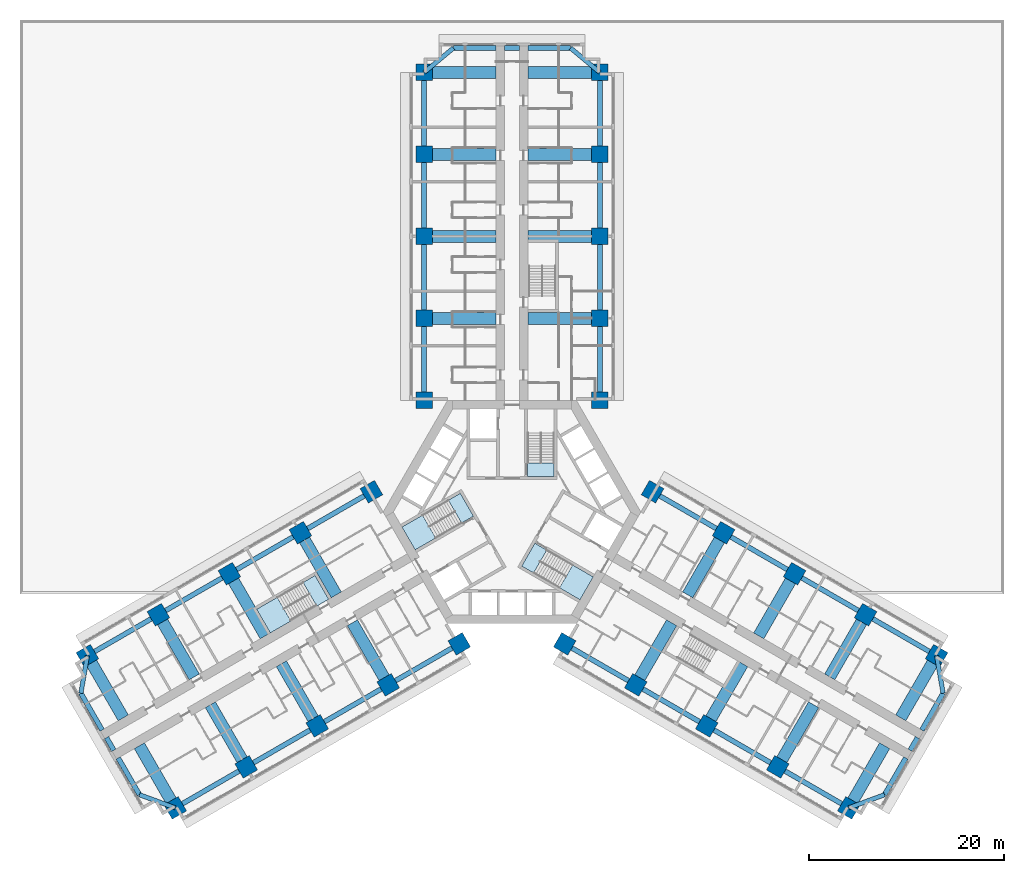
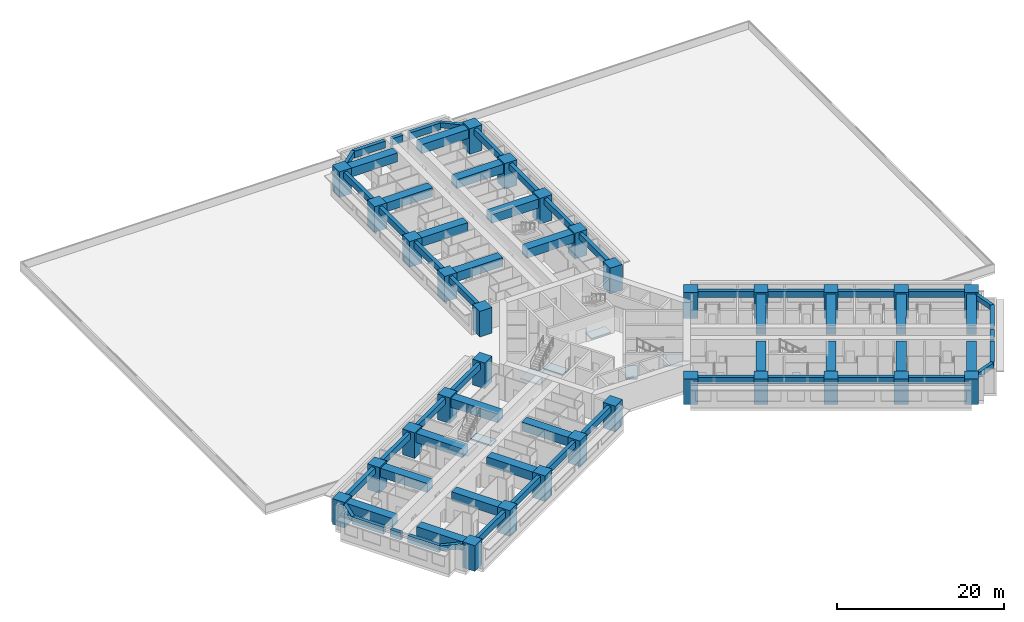
# One storey, part 1 of 18: 63 beams, 30 columns, 7 slabs, 4 elements without a shape of their own.
"""IFC4 building model written with IfcOpenShell, lengths in metres."""

from ifc_helpers import new_model, si_unit, direction, frame, origin, origin_2d, place, context, subcontext, project, spatial, polyline, rectangle, outline, extrude, material, layer, layer_set, material_profile, profile_set, type_object, element, aggregate, save


model = new_model("IFC4")

# Units and contexts
model_context = context("Model", 3, precision=1e-05, world=origin(), true_north=direction((0.0, 1.0)))
body_context = subcontext(model_context, "Body", "Model", "MODEL_VIEW")
ifc_project = project(units=[si_unit("LENGTHUNIT", "METRE"), si_unit("AREAUNIT", "SQUARE_METRE"), si_unit("VOLUMEUNIT", "CUBIC_METRE"), si_unit("PLANEANGLEUNIT", "RADIAN"), si_unit("MASSUNIT", "GRAM", prefix="KILO")], contexts=[model_context])

# Site, building, storey
site_placement = place(None, origin())
site = spatial("IfcSite", under=ifc_project, at=site_placement, CompositionType="ELEMENT")
building_placement = place(site_placement, origin())
building = spatial("IfcBuilding", under=site, at=building_placement, Name="Impinga Residences", CompositionType="ELEMENT")
storey_placement = place(building_placement, frame((0.0, 0.0, 26.0)))
storey = spatial("IfcBuildingStorey", under=building, at=storey_placement, Name="L05", CompositionType="ELEMENT", Elevation=26.0)

# Columns
ifc_material_1 = material(Name="Concrete C70/85", Category="concrete")
ifc_material_profile_1 = material_profile(ifc_material_1, rectangle(XDim=1.699951171875, YDim=1.699951171875, at=origin_2d()), Name="RC 1700x1700")
ifc_profile_set_1 = profile_set([ifc_material_profile_1], Name="Concrete C70/85")
column_type = type_object("IfcColumnType", Name="C10 1700x1700 column", PredefinedType="COLUMN", material=ifc_profile_set_1)
for number, where, z_axis, x_axis, name in (
    (1, (-9.0, 11.431640625, 0.0), (0.0, 0.0, 1.0), (1.0, 0.0, 0.0), "Column C10 N1/NA L05"),
    (2, (9.0, 11.431640625, 0.0), (0.0, 0.0, 1.0), (1.0, 0.0, 0.0), "Column C10 N1/NF L05"),
    (3, (-9.0, 19.83154296875, 0.0), (0.0, 0.0, 1.0), (1.0, 0.0, 0.0), "Column C10 N2/NA L05"),
    (4, (9.0, 19.83154296875, 0.0), (0.0, 0.0, 1.0), (1.0, 0.0, 0.0), "Column C10 N2/NF L05"),
    (5, (-9.0, 28.2314453125, 0.0), (0.0, 0.0, 1.0), (1.0, 0.0, 0.0), "Column C10 N3/NA L05"),
    (6, (9.0, 28.2314453125, 0.0), (0.0, 0.0, 1.0), (1.0, 0.0, 0.0), "Column C10 N3/NF L05"),
    (7, (-9.0, 36.631591796875, 0.0), (0.0, 0.0, 1.0), (1.0, 0.0, 0.0), "Column C10 N4/NA L05"),
    (8, (9.0, 36.631591796875, 0.0), (0.0, 0.0, 1.0), (1.0, 0.0, 0.0), "Column C10 N4/NF L05"),
    (9, (-9.0, 45.031494140625, 0.0), (0.0, 0.0, 1.0), (1.0, 0.0, 0.0), "Column C10 N5/NA L05"),
    (10, (9.0, 45.031494140625, 0.0), (0.0, 0.0, 1.0), (1.0, 0.0, 0.0), "Column C10 N5/NF L05"),
    (11, (-5.39990234375, -13.510009765625, 0.0), (0.0, 0.0, 1.0), (-0.5, 0.866025403784, 0.0), "Column C10 W1/WA L05"),
    (12, (-14.39990234375, 2.078369140625, 0.0), (0.0, 0.0, 1.0), (-0.5, 0.866025403784, 0.0), "Column C10 W1/WF L05"),
    (13, (-12.674560546875, -17.7099609375, 0.0), (0.0, 0.0, 1.0), (-0.5, 0.866025403784, 0.0), "Column C10 W2/WA L05"),
    (14, (-21.674560546875, -2.12158203125, 0.0), (0.0, 0.0, 1.0), (-0.5, 0.866025403784, 0.0), "Column C10 W2/WF L05"),
    (15, (-19.94921875, -21.909912109375, 0.0), (0.0, 0.0, 1.0), (-0.5, 0.866025403784, 0.0), "Column C10 W3/WA L05"),
    (16, (-28.94921875, -6.321533203125, 0.0), (0.0, 0.0, 1.0), (-0.5, 0.866025403784, 0.0), "Column C10 W3/WF L05"),
    (17, (-27.223876953125, -26.110107421875, 0.0), (0.0, 0.0, 1.0), (-0.5, 0.866025403784, 0.0), "Column C10 W4/WA L05"),
    (18, (-36.223876953125, -10.521484375, 0.0), (0.0, 0.0, 1.0), (-0.5, 0.866025403784, 0.0), "Column C10 W4/WF L05"),
    (19, (-34.49853515625, -30.31005859375, 0.0), (0.0, 0.0, 1.0), (-0.5, 0.866025403784, 0.0), "Column C10 W5/WA L05"),
    (20, (-43.49853515625, -14.721435546875, 0.0), (0.0, 0.0, 1.0), (-0.5, 0.866025403784, 0.0), "Column C10 W5/WF L05"),
    (21, (14.39990234375, 2.078369140625, 0.0), (0.0, 0.0, 1.0), (-0.5, -0.866025403784, 0.0), "Column C10 E1/EA L05"),
    (22, (5.39990234375, -13.510009765625, 0.0), (0.0, 0.0, 1.0), (-0.5, -0.866025403784, 0.0), "Column C10 E1/EF L05"),
    (23, (21.674560546875, -2.12158203125, 0.0), (0.0, 0.0, 1.0), (-0.5, -0.866025403784, 0.0), "Column C10 E2/EA L05"),
    (24, (12.674560546875, -17.7099609375, 0.0), (0.0, 0.0, 1.0), (-0.5, -0.866025403784, 0.0), "Column C10 E2/EF L05"),
    (25, (28.94921875, -6.321533203125, 0.0), (0.0, 0.0, 1.0), (-0.5, -0.866025403784, 0.0), "Column C10 E3/EA L05"),
    (26, (19.94921875, -21.909912109375, 0.0), (0.0, 0.0, 1.0), (-0.5, -0.866025403784, 0.0), "Column C10 E3/EF L05"),
    (27, (36.223876953125, -10.521484375, 0.0), (0.0, 0.0, 1.0), (-0.5, -0.866025403784, 0.0), "Column C10 E4/EA L05"),
    (28, (27.223876953125, -26.110107421875, 0.0), (0.0, 0.0, 1.0), (-0.5, -0.866025403784, 0.0), "Column C10 E4/EF L05"),
    (29, (43.49853515625, -14.721435546875, 0.0), (0.0, 0.0, 1.0), (-0.5, -0.866025403784, 0.0), "Column C10 E5/EA L05"),
    (30, (34.49853515625, -30.31005859375, 0.0), (0.0, 0.0, 1.0), (-0.5, -0.866025403784, 0.0), "Column C10 E5/EF L05"),
):
    element("IfcColumn", number, at=place(storey_placement, frame(where, z_axis=z_axis, x_axis=x_axis)), inside=storey, type_object=column_type, Name=name, PredefinedType="COLUMN", context=body_context, shape_type="SweptSolid", body=[
        extrude(rectangle(XDim=1.699951171875, YDim=1.699951171875, at=origin_2d()), origin(), (0.0, 0.0, 1.0), 3.75),
    ])

# Beams
ifc_material_2 = material(Name="Concrete C60/75", Category="concrete")
ifc_material_profile_2 = material_profile(ifc_material_2, rectangle(XDim=0.449951171875, YDim=0.75, at=origin_2d()), Name="RC 450x750")
ifc_profile_set_2 = profile_set([ifc_material_profile_2], Name="Concrete C60/75")
beam_type_1 = type_object("IfcBeamType", Name="CB1 450x750 wing end cantilever beam", PredefinedType="BEAM", material=ifc_profile_set_2)
for number, where, z_axis, x_axis, name in (
    (31, (-9.0, 45.031494140625, 3.155029296875), (0.768221279597, 0.640184399664, 0.0), (-0.640184399664, 0.768221279597, 0.0), "Beam CB1 NB N5-NX level L06"),
    (32, (9.0, 45.031494140625, 3.155029296875), (-0.768221279597, 0.640184399664, 0.0), (-0.640184399664, -0.768221279597, 0.0), "Beam CB1 NE N5-NX level L06"),
    (33, (-34.49853515625, -30.31005859375, 3.155029296875), (-0.938520178725, 0.345224382289, 0.0), (-0.345224382289, -0.938520178725, 0.0), "Beam CB1 WB W5-WX level L06"),
):
    element("IfcBeam", number, at=place(storey_placement, frame(where, z_axis=z_axis, x_axis=x_axis)), inside=storey, type_object=beam_type_1, Name=name, PredefinedType="BEAM", context=body_context, shape_type="SweptSolid", body=[
        extrude(rectangle(XDim=0.449951171875, YDim=0.75, at=origin_2d()), origin(), (0.0, 0.0, 1.0), 3.905029296875),
    ])
for number, where, z_axis, x_axis, name in (
    (34, (-43.49853515625, -14.721435546875, 3.155029296875), (-0.170296298948, -0.985392901621, 0.0), (0.985392901621, -0.170296298948, 0.0), "Beam CB1 WE W5-WX level L06"),
    (35, (43.49853515625, -14.721435546875, 3.155029296875), (0.170296298948, -0.985392901621, 0.0), (0.985392901621, 0.170296298948, 0.0), "Beam CB1 EB E5-EX level L06"),
):
    element("IfcBeam", number, at=place(storey_placement, frame(where, z_axis=z_axis, x_axis=x_axis)), inside=storey, type_object=beam_type_1, Name=name, PredefinedType="BEAM", context=body_context, shape_type="SweptSolid", body=[
        extrude(rectangle(XDim=0.449951171875, YDim=0.75, at=origin_2d()), origin(), (0.0, 0.0, 1.0), 3.9052734375),
    ])
beam_1_placement = place(storey_placement, frame((34.49853515625, -30.31005859375, 3.155029296875), z_axis=(0.938520178725, 0.345224382289, 0.0), x_axis=(-0.345224382289, 0.938520178725, 0.0)))
element("IfcBeam", 36, at=beam_1_placement, inside=storey, type_object=beam_type_1, Name="Beam CB1 EE E5-EX level L06", PredefinedType="BEAM", context=body_context, shape_type="SweptSolid", body=[
    extrude(rectangle(XDim=0.449951171875, YDim=0.75, at=origin_2d()), origin(), (0.0, 0.0, 1.0), 3.905029296875),
])
ifc_material_profile_3 = material_profile(ifc_material_2, rectangle(XDim=1.199951171875, YDim=1.300048828125, at=origin_2d()), Name="RC 1200x1300")
ifc_profile_set_3 = profile_set([ifc_material_profile_3], Name="Concrete C60/75")
beam_type_2 = type_object("IfcBeamType", Name="CG2 1200x1300 cross girder on a wing bay line", PredefinedType="BEAM", material=ifc_profile_set_3)
for number, where, z_axis, x_axis, name in (
    (37, (-1.64990234375, 19.83154296875, 2.8798828125), (-1.0, 0.0, 0.0), (0.0, -1.0, 0.0), "Beam CG2 N2 NC/NA level L06"),
    (38, (-1.64990234375, 28.2314453125, 2.8798828125), (-1.0, 0.0, 0.0), (0.0, -1.0, 0.0), "Beam CG2 N3 NC/NA level L06"),
    (39, (-1.64990234375, 36.631591796875, 2.8798828125), (-1.0, 0.0, 0.0), (0.0, -1.0, 0.0), "Beam CG2 N4 NC/NA level L06"),
    (40, (-1.64990234375, 45.031494140625, 2.8798828125), (-1.0, 0.0, 0.0), (0.0, -1.0, 0.0), "Beam CG2 N5 NC/NA level L06"),
    (41, (1.64990234375, 19.83154296875, 2.8798828125), (1.0, 0.0, 0.0), (0.0, 1.0, 0.0), "Beam CG2 N2 NC/NF level L06"),
    (42, (1.64990234375, 28.2314453125, 2.8798828125), (1.0, 0.0, 0.0), (0.0, 1.0, 0.0), "Beam CG2 N3 NC/NF level L06"),
    (43, (1.64990234375, 36.631591796875, 2.8798828125), (1.0, 0.0, 0.0), (0.0, 1.0, 0.0), "Beam CG2 N4 NC/NF level L06"),
    (44, (1.64990234375, 45.031494140625, 2.8798828125), (1.0, 0.0, 0.0), (0.0, 1.0, 0.0), "Beam CG2 N5 NC/NF level L06"),
    (45, (-16.349609375, -11.3447265625, 2.8798828125), (0.500008066151, -0.86602074674, 0.0), (0.86602074674, 0.500008066151, 0.0), "Beam CG2 W2 WC/WA level L06"),
    (46, (-23.624267578125, -15.544677734375, 2.8798828125), (0.500008066151, -0.86602074674, 0.0), (0.86602074674, 0.500008066151, 0.0), "Beam CG2 W3 WC/WA level L06"),
    (47, (-30.89892578125, -19.74462890625, 2.8798828125), (0.499993683172, -0.866029050776, 0.0), (0.866029050776, 0.499993683172, 0.0), "Beam CG2 W4 WC/WA level L06"),
):
    element("IfcBeam", number, at=place(storey_placement, frame(where, z_axis=z_axis, x_axis=x_axis)), inside=storey, type_object=beam_type_2, Name=name, PredefinedType="BEAM", context=body_context, shape_type="SweptSolid", body=[
        extrude(rectangle(XDim=1.199951171875, YDim=1.300048828125, at=origin_2d()), origin(), (0.0, 0.0, 1.0), 7.35009765625),
    ])
beam_2_placement = place(storey_placement, frame((-38.17333984375, -23.94482421875, 2.8798828125), z_axis=(0.499983153418, -0.866035129944, 0.0), x_axis=(0.866035129944, 0.499983153418, 0.0)))
element("IfcBeam", 48, at=beam_2_placement, inside=storey, type_object=beam_type_2, Name="Beam CG2 W5 WC/WA level L06", PredefinedType="BEAM", context=body_context, shape_type="SweptSolid", body=[
    extrude(rectangle(XDim=1.199951171875, YDim=1.300048828125, at=origin_2d()), origin(), (0.0, 0.0, 1.0), 7.349853515625),
])
for number, where, z_axis, x_axis, name in (
    (49, (-17.99951171875, -8.48681640625, 2.8798828125), (-0.500008066151, 0.86602074674, 0.0), (-0.86602074674, -0.500008066151, 0.0), "Beam CG2 W2 WC/WF level L06"),
    (50, (-25.274169921875, -12.686767578125, 2.8798828125), (-0.500008066151, 0.86602074674, 0.0), (-0.86602074674, -0.500008066151, 0.0), "Beam CG2 W3 WC/WF level L06"),
    (51, (-32.548828125, -16.88671875, 2.8798828125), (-0.500008066151, 0.86602074674, 0.0), (-0.86602074674, -0.500008066151, 0.0), "Beam CG2 W4 WC/WF level L06"),
    (52, (-39.823486328125, -21.0869140625, 2.8798828125), (-0.499993683172, 0.866029050776, 0.0), (-0.866029050776, -0.499993683172, 0.0), "Beam CG2 W5 WC/WF level L06"),
    (53, (17.99951171875, -8.48681640625, 2.8798828125), (0.500008066151, 0.86602074674, 0.0), (-0.86602074674, 0.500008066151, 0.0), "Beam CG2 E2 EC/EA level L06"),
    (54, (25.274169921875, -12.686767578125, 2.8798828125), (0.500008066151, 0.86602074674, 0.0), (-0.86602074674, 0.500008066151, 0.0), "Beam CG2 E3 EC/EA level L06"),
    (55, (32.548828125, -16.88671875, 2.8798828125), (0.500008066151, 0.86602074674, 0.0), (-0.86602074674, 0.500008066151, 0.0), "Beam CG2 E4 EC/EA level L06"),
    (56, (39.823486328125, -21.0869140625, 2.8798828125), (0.499993683172, 0.866029050776, 0.0), (-0.866029050776, 0.499993683172, 0.0), "Beam CG2 E5 EC/EA level L06"),
    (57, (16.349609375, -11.3447265625, 2.8798828125), (-0.500008066151, -0.86602074674, 0.0), (0.86602074674, -0.500008066151, 0.0), "Beam CG2 E2 EC/EF level L06"),
    (58, (23.624267578125, -15.544677734375, 2.8798828125), (-0.500008066151, -0.86602074674, 0.0), (0.86602074674, -0.500008066151, 0.0), "Beam CG2 E3 EC/EF level L06"),
    (59, (30.89892578125, -19.74462890625, 2.8798828125), (-0.499993683172, -0.866029050776, 0.0), (0.866029050776, -0.499993683172, 0.0), "Beam CG2 E4 EC/EF level L06"),
):
    element("IfcBeam", number, at=place(storey_placement, frame(where, z_axis=z_axis, x_axis=x_axis)), inside=storey, type_object=beam_type_2, Name=name, PredefinedType="BEAM", context=body_context, shape_type="SweptSolid", body=[
        extrude(rectangle(XDim=1.199951171875, YDim=1.300048828125, at=origin_2d()), origin(), (0.0, 0.0, 1.0), 7.35009765625),
    ])
beam_3_placement = place(storey_placement, frame((38.17333984375, -23.94482421875, 2.8798828125), z_axis=(-0.499983153418, -0.866035129944, 0.0), x_axis=(0.866035129944, -0.499983153418, 0.0)))
element("IfcBeam", 60, at=beam_3_placement, inside=storey, type_object=beam_type_2, Name="Beam CG2 E5 EC/EF level L06", PredefinedType="BEAM", context=body_context, shape_type="SweptSolid", body=[
    extrude(rectangle(XDim=1.199951171875, YDim=1.300048828125, at=origin_2d()), origin(), (0.0, 0.0, 1.0), 7.349853515625),
])
ifc_material_profile_4 = material_profile(ifc_material_2, rectangle(XDim=0.5, YDim=1.0, at=origin_2d()), Name="RC 500x1000")
ifc_profile_set_4 = profile_set([ifc_material_profile_4], Name="Concrete C60/75")
beam_type_3 = type_object("IfcBeamType", Name="EB1 500x1000 wing end beam", PredefinedType="BEAM", material=ifc_profile_set_4)
beam_4_placement = place(storey_placement, frame((-6.0, 47.531494140625, 3.030029296875), z_axis=(1.0, 0.0, 0.0), x_axis=(0.0, 1.0, 0.0)))
element("IfcBeam", 61, at=beam_4_placement, inside=storey, type_object=beam_type_3, Name="Beam EB1 NX4 level L06", PredefinedType="BEAM", context=body_context, shape_type="SweptSolid", body=[
    extrude(rectangle(XDim=0.5, YDim=1.0, at=origin_2d()), origin(), (0.0, 0.0, 1.0), 4.35009765625),
])
beam_5_placement = place(storey_placement, frame((-0.75, 47.531494140625, 3.030029296875), z_axis=(1.0, 0.0, 0.0), x_axis=(0.0, 1.0, 0.0)))
element("IfcBeam", 62, at=beam_5_placement, inside=storey, type_object=beam_type_3, Name="Beam EB1 NX4 level L06", PredefinedType="BEAM", context=body_context, shape_type="SweptSolid", body=[
    extrude(rectangle(XDim=0.5, YDim=1.0, at=origin_2d()), origin(), (0.0, 0.0, 1.0), 1.5),
])
beam_6_placement = place(storey_placement, frame((1.64990234375, 47.531494140625, 3.030029296875), z_axis=(1.0, 0.0, 0.0), x_axis=(0.0, 1.0, 0.0)))
element("IfcBeam", 63, at=beam_6_placement, inside=storey, type_object=beam_type_3, Name="Beam EB1 NX4 level L06", PredefinedType="BEAM", context=body_context, shape_type="SweptSolid", body=[
    extrude(rectangle(XDim=0.5, YDim=1.0, at=origin_2d()), origin(), (0.0, 0.0, 1.0), 4.35009765625),
])
beam_7_placement = place(storey_placement, frame((-38.16357421875, -28.9619140625, 3.030029296875), z_axis=(-0.500020430026, 0.866013608182, 0.0), x_axis=(-0.866013608182, -0.500020430026, 0.0)))
element("IfcBeam", 64, at=beam_7_placement, inside=storey, type_object=beam_type_3, Name="Beam EB1 WX4 level L06", PredefinedType="BEAM", context=body_context, shape_type="SweptSolid", body=[
    extrude(rectangle(XDim=0.5, YDim=1.0, at=origin_2d()), origin(), (0.0, 0.0, 1.0), 4.349853515625),
])
beam_8_placement = place(storey_placement, frame((-40.78857421875, -24.415283203125, 3.030029296875), z_axis=(-0.499990139034, 0.866031096941, 0.0), x_axis=(-0.866031096941, -0.499990139034, 0.0)))
element("IfcBeam", 65, at=beam_8_placement, inside=storey, type_object=beam_type_3, Name="Beam EB1 WX4 level L06", PredefinedType="BEAM", context=body_context, shape_type="SweptSolid", body=[
    extrude(rectangle(XDim=0.5, YDim=1.0, at=origin_2d()), origin(), (0.0, 0.0, 1.0), 1.5),
])
for number, where, z_axis, x_axis, name in (
    (66, (-41.988525390625, -22.3369140625, 3.030029296875), (-0.499996127374, 0.866027639635, 0.0), (-0.866027639635, -0.499996127374, 0.0), "Beam EB1 WX4 level L06"),
    (67, (44.16357421875, -18.569580078125, 3.030029296875), (-0.499996127374, -0.866027639635, 0.0), (0.866027639635, -0.499996127374, 0.0), "Beam EB1 EX4 level L06"),
):
    element("IfcBeam", number, at=place(storey_placement, frame(where, z_axis=z_axis, x_axis=x_axis)), inside=storey, type_object=beam_type_3, Name=name, PredefinedType="BEAM", context=body_context, shape_type="SweptSolid", body=[
        extrude(rectangle(XDim=0.5, YDim=1.0, at=origin_2d()), origin(), (0.0, 0.0, 1.0), 4.35009765625),
    ])
beam_9_placement = place(storey_placement, frame((41.53857421875, -23.1162109375, 3.030029296875), z_axis=(-0.499990139034, -0.866031096941, 0.0), x_axis=(0.866031096941, -0.499990139034, 0.0)))
element("IfcBeam", 68, at=beam_9_placement, inside=storey, type_object=beam_type_3, Name="Beam EB1 EX4 level L06", PredefinedType="BEAM", context=body_context, shape_type="SweptSolid", body=[
    extrude(rectangle(XDim=0.5, YDim=1.0, at=origin_2d()), origin(), (0.0, 0.0, 1.0), 1.5),
])
beam_10_placement = place(storey_placement, frame((40.338623046875, -25.19482421875, 3.030029296875), z_axis=(-0.500020430026, -0.866013608182, 0.0), x_axis=(0.866013608182, -0.500020430026, 0.0)))
element("IfcBeam", 69, at=beam_10_placement, inside=storey, type_object=beam_type_3, Name="Beam EB1 EX4 level L06", PredefinedType="BEAM", context=body_context, shape_type="SweptSolid", body=[
    extrude(rectangle(XDim=0.5, YDim=1.0, at=origin_2d()), origin(), (0.0, 0.0, 1.0), 4.349853515625),
])
ifc_material_profile_5 = material_profile(ifc_material_2, rectangle(XDim=0.5, YDim=0.89990234375, at=origin_2d()), Name="RC 500x900")
ifc_profile_set_5 = profile_set([ifc_material_profile_5], Name="Concrete C60/75")
beam_type_4 = type_object("IfcBeamType", Name="SB1 500x900 perimeter spandrel beam", PredefinedType="SPANDREL", material=ifc_profile_set_5)
for number, where, z_axis, x_axis, name in (
    (70, (-9.0, 11.431640625, 3.080078125), (0.0, 1.0, 0.0), (-1.0, 0.0, 0.0), "Beam SB1 NA N1-N2 level L06"),
    (71, (-9.0, 19.83154296875, 3.080078125), (0.0, 1.0, 0.0), (-1.0, 0.0, 0.0), "Beam SB1 NA N2-N3 level L06"),
):
    element("IfcBeam", number, at=place(storey_placement, frame(where, z_axis=z_axis, x_axis=x_axis)), inside=storey, type_object=beam_type_4, Name=name, PredefinedType="SPANDREL", context=body_context, shape_type="SweptSolid", body=[
        extrude(rectangle(XDim=0.5, YDim=0.89990234375, at=origin_2d()), origin(), (0.0, 0.0, 1.0), 8.39990234375),
    ])
beam_11_placement = place(storey_placement, frame((-9.0, 28.2314453125, 3.080078125), z_axis=(0.0, 1.0, 0.0), x_axis=(-1.0, 0.0, 0.0)))
element("IfcBeam", 72, at=beam_11_placement, inside=storey, type_object=beam_type_4, Name="Beam SB1 NA N3-N4 level L06", PredefinedType="SPANDREL", context=body_context, shape_type="SweptSolid", body=[
    extrude(rectangle(XDim=0.5, YDim=0.89990234375, at=origin_2d()), origin(), (0.0, 0.0, 1.0), 8.400146484375),
])
for number, where, z_axis, x_axis, name in (
    (73, (-9.0, 36.631591796875, 3.080078125), (0.0, 1.0, 0.0), (-1.0, 0.0, 0.0), "Beam SB1 NA N4-N5 level L06"),
    (74, (9.0, 11.431640625, 3.080078125), (0.0, 1.0, 0.0), (-1.0, 0.0, 0.0), "Beam SB1 NF N1-N2 level L06"),
    (75, (9.0, 19.83154296875, 3.080078125), (0.0, 1.0, 0.0), (-1.0, 0.0, 0.0), "Beam SB1 NF N2-N3 level L06"),
):
    element("IfcBeam", number, at=place(storey_placement, frame(where, z_axis=z_axis, x_axis=x_axis)), inside=storey, type_object=beam_type_4, Name=name, PredefinedType="SPANDREL", context=body_context, shape_type="SweptSolid", body=[
        extrude(rectangle(XDim=0.5, YDim=0.89990234375, at=origin_2d()), origin(), (0.0, 0.0, 1.0), 8.39990234375),
    ])
beam_12_placement = place(storey_placement, frame((9.0, 28.2314453125, 3.080078125), z_axis=(0.0, 1.0, 0.0), x_axis=(-1.0, 0.0, 0.0)))
element("IfcBeam", 76, at=beam_12_placement, inside=storey, type_object=beam_type_4, Name="Beam SB1 NF N3-N4 level L06", PredefinedType="SPANDREL", context=body_context, shape_type="SweptSolid", body=[
    extrude(rectangle(XDim=0.5, YDim=0.89990234375, at=origin_2d()), origin(), (0.0, 0.0, 1.0), 8.400146484375),
])
for number, where, z_axis, x_axis, name in (
    (77, (9.0, 36.631591796875, 3.080078125), (0.0, 1.0, 0.0), (-1.0, 0.0, 0.0), "Beam SB1 NF N4-N5 level L06"),
    (78, (-5.39990234375, -13.510009765625, 3.080078125), (-0.86602925447, -0.499993330357, 0.0), (0.499993330357, -0.86602925447, 0.0), "Beam SB1 WA W1-W2 level L06"),
    (79, (-12.674560546875, -17.7099609375, 3.080078125), (-0.86602925447, -0.499993330357, 0.0), (0.499993330357, -0.86602925447, 0.0), "Beam SB1 WA W2-W3 level L06"),
):
    element("IfcBeam", number, at=place(storey_placement, frame(where, z_axis=z_axis, x_axis=x_axis)), inside=storey, type_object=beam_type_4, Name=name, PredefinedType="SPANDREL", context=body_context, shape_type="SweptSolid", body=[
        extrude(rectangle(XDim=0.5, YDim=0.89990234375, at=origin_2d()), origin(), (0.0, 0.0, 1.0), 8.39990234375),
    ])
beam_13_placement = place(storey_placement, frame((-19.94921875, -21.909912109375, 3.080078125), z_axis=(-0.866016669275, -0.500015128309, 0.0), x_axis=(0.500015128309, -0.866016669275, 0.0)))
element("IfcBeam", 80, at=beam_13_placement, inside=storey, type_object=beam_type_4, Name="Beam SB1 WA W3-W4 level L06", PredefinedType="SPANDREL", context=body_context, shape_type="SweptSolid", body=[
    extrude(rectangle(XDim=0.5, YDim=0.89990234375, at=origin_2d()), origin(), (0.0, 0.0, 1.0), 8.400146484375),
])
for number, where, z_axis, x_axis, name in (
    (81, (-27.223876953125, -26.110107421875, 3.080078125), (-0.86602925447, -0.499993330357, 0.0), (0.499993330357, -0.86602925447, 0.0), "Beam SB1 WA W4-W5 level L06"),
    (82, (-14.39990234375, 2.078369140625, 3.080078125), (-0.86602925447, -0.499993330357, 0.0), (0.499993330357, -0.86602925447, 0.0), "Beam SB1 WF W1-W2 level L06"),
    (83, (-21.674560546875, -2.12158203125, 3.080078125), (-0.86602925447, -0.499993330357, 0.0), (0.499993330357, -0.86602925447, 0.0), "Beam SB1 WF W2-W3 level L06"),
    (84, (-28.94921875, -6.321533203125, 3.080078125), (-0.86602925447, -0.499993330357, 0.0), (0.499993330357, -0.86602925447, 0.0), "Beam SB1 WF W3-W4 level L06"),
    (85, (-36.223876953125, -10.521484375, 3.080078125), (-0.86602925447, -0.499993330357, 0.0), (0.499993330357, -0.86602925447, 0.0), "Beam SB1 WF W4-W5 level L06"),
    (86, (14.39990234375, 2.078369140625, 3.080078125), (0.86602925447, -0.499993330357, 0.0), (0.499993330357, 0.86602925447, 0.0), "Beam SB1 EA E1-E2 level L06"),
    (87, (21.674560546875, -2.12158203125, 3.080078125), (0.86602925447, -0.499993330357, 0.0), (0.499993330357, 0.86602925447, 0.0), "Beam SB1 EA E2-E3 level L06"),
    (88, (28.94921875, -6.321533203125, 3.080078125), (0.86602925447, -0.499993330357, 0.0), (0.499993330357, 0.86602925447, 0.0), "Beam SB1 EA E3-E4 level L06"),
    (89, (36.223876953125, -10.521484375, 3.080078125), (0.86602925447, -0.499993330357, 0.0), (0.499993330357, 0.86602925447, 0.0), "Beam SB1 EA E4-E5 level L06"),
    (90, (5.39990234375, -13.510009765625, 3.080078125), (0.86602925447, -0.499993330357, 0.0), (0.499993330357, 0.86602925447, 0.0), "Beam SB1 EF E1-E2 level L06"),
    (91, (12.674560546875, -17.7099609375, 3.080078125), (0.86602925447, -0.499993330357, 0.0), (0.499993330357, 0.86602925447, 0.0), "Beam SB1 EF E2-E3 level L06"),
):
    element("IfcBeam", number, at=place(storey_placement, frame(where, z_axis=z_axis, x_axis=x_axis)), inside=storey, type_object=beam_type_4, Name=name, PredefinedType="SPANDREL", context=body_context, shape_type="SweptSolid", body=[
        extrude(rectangle(XDim=0.5, YDim=0.89990234375, at=origin_2d()), origin(), (0.0, 0.0, 1.0), 8.39990234375),
    ])
beam_14_placement = place(storey_placement, frame((19.94921875, -21.909912109375, 3.080078125), z_axis=(0.866016669275, -0.500015128309, 0.0), x_axis=(0.500015128309, 0.866016669275, 0.0)))
element("IfcBeam", 92, at=beam_14_placement, inside=storey, type_object=beam_type_4, Name="Beam SB1 EF E3-E4 level L06", PredefinedType="SPANDREL", context=body_context, shape_type="SweptSolid", body=[
    extrude(rectangle(XDim=0.5, YDim=0.89990234375, at=origin_2d()), origin(), (0.0, 0.0, 1.0), 8.400146484375),
])
beam_15_placement = place(storey_placement, frame((27.223876953125, -26.110107421875, 3.080078125), z_axis=(0.86602925447, -0.499993330357, 0.0), x_axis=(0.499993330357, 0.86602925447, 0.0)))
element("IfcBeam", 93, at=beam_15_placement, inside=storey, type_object=beam_type_4, Name="Beam SB1 EF E4-E5 level L06", PredefinedType="SPANDREL", context=body_context, shape_type="SweptSolid", body=[
    extrude(rectangle(XDim=0.5, YDim=0.89990234375, at=origin_2d()), origin(), (0.0, 0.0, 1.0), 8.39990234375),
])

# Stair, slab
ifc_material_3 = material(Name="Concrete C40/50", Category="concrete")
stair_type_1 = type_object("IfcStairType", Name="STR core stair 3750 storey, 24 risers", PredefinedType="HALF_TURN_STAIR", material=ifc_material_3)
stair_1_placement = place(storey_placement, origin())
stair_1 = element("IfcStair", 94, at=stair_1_placement, inside=storey, type_object=stair_type_1, Name="Stair ST1 L05", PredefinedType="HALF_TURN_STAIR")
ifc_layer = layer(ifc_material_3, 0.199951171875)
ifc_layer_set = layer_set([ifc_layer], Name="Concrete C40/50")
slab_type = type_object("IfcSlabType", Name="LS1 stair landing 200", PredefinedType="LANDING", material=ifc_layer_set)
slab_1_placement = place(storey_placement, frame((0.0, 0.0, -0.199951171875)))
slab_1 = element("IfcSlab", 95, at=slab_1_placement, type_object=slab_type, Name="ST1 landing 1", PredefinedType="LANDING", context=body_context, shape_type="SweptSolid", body=[
    extrude(outline(polyline([(1.60009765625, 3.6298828125), (4.300048828125, 3.6298828125), (4.300048828125, 5.0400390625), (1.60009765625, 5.0400390625), (1.60009765625, 3.6298828125)])), origin(), (0.0, 0.0, 1.0), 0.199951171875),
])
aggregate(stair_1, [slab_1])

# Stair, slabs
stair_2_placement = place(storey_placement, origin())
stair_2 = element("IfcStair", 96, at=stair_2_placement, inside=storey, type_object=stair_type_1, Name="Stair ST2 L05", PredefinedType="HALF_TURN_STAIR")
slab_2_placement = place(storey_placement, frame((0.0, 0.0, -0.199951171875)))
slab_2 = element("IfcSlab", 97, at=slab_2_placement, type_object=slab_type, Name="ST2 landing 1", PredefinedType="LANDING", context=body_context, shape_type="SweptSolid", body=[
    extrude(outline(polyline([(-3.943603515625, -0.429443359375), (-5.293701171875, 1.908935546875), (-6.5146484375, 1.203857421875), (-5.164794921875, -1.13427734375), (-3.943603515625, -0.429443359375)])), origin(), (0.0, 0.0, 1.0), 0.199951171875),
])
slab_3_placement = place(storey_placement, frame((0.0, 0.0, 1.675048828125)))
slab_3 = element("IfcSlab", 98, at=slab_3_placement, type_object=slab_type, Name="ST2 landing 2", PredefinedType="LANDING", context=body_context, shape_type="SweptSolid", body=[
    extrude(outline(polyline([(-7.814697265625, -2.664306640625), (-9.164794921875, -0.326171875), (-11.2705078125, -1.541748046875), (-9.920654296875, -3.880126953125), (-7.814697265625, -2.664306640625)])), origin(), (0.0, 0.0, 1.0), 0.199951171875),
])
aggregate(stair_2, [slab_2, slab_3])

stair_3_placement = place(storey_placement, origin())
stair_3 = element("IfcStair", 99, at=stair_3_placement, inside=storey, type_object=stair_type_1, Name="Stair ST3 L05", PredefinedType="HALF_TURN_STAIR")
slab_4_placement = place(storey_placement, frame((0.0, 0.0, -0.199951171875)))
slab_4 = element("IfcSlab", 100, at=slab_4_placement, type_object=slab_type, Name="ST3 landing 1", PredefinedType="LANDING", context=body_context, shape_type="SweptSolid", body=[
    extrude(outline(polyline([(2.34375, -3.20068359375), (0.99365234375, -5.538818359375), (2.21484375, -6.243896484375), (3.564697265625, -3.90576171875), (2.34375, -3.20068359375)])), origin(), (0.0, 0.0, 1.0), 0.199951171875),
])
slab_5_placement = place(storey_placement, frame((0.0, 0.0, 1.675048828125)))
slab_5 = element("IfcSlab", 101, at=slab_5_placement, type_object=slab_type, Name="ST3 landing 2", PredefinedType="LANDING", context=body_context, shape_type="SweptSolid", body=[
    extrude(outline(polyline([(6.21484375, -5.435546875), (4.86474609375, -7.77392578125), (6.970458984375, -8.98974609375), (8.320556640625, -6.6513671875), (6.21484375, -5.435546875)])), origin(), (0.0, 0.0, 1.0), 0.199951171875),
])
aggregate(stair_3, [slab_4, slab_5])

stair_type_2 = type_object("IfcStairType", Name="STR wing stair 3750 storey, 24 risers", PredefinedType="HALF_TURN_STAIR", material=ifc_material_3)
stair_4_placement = place(storey_placement, origin())
stair_4 = element("IfcStair", 102, at=stair_4_placement, inside=storey, type_object=stair_type_2, Name="Stair WS2 L05", PredefinedType="HALF_TURN_STAIR")
slab_6_placement = place(storey_placement, frame((0.0, 0.0, -0.199951171875)))
slab_6 = element("IfcSlab", 103, at=slab_6_placement, type_object=slab_type, Name="WS2 landing 1", PredefinedType="LANDING", context=body_context, shape_type="SweptSolid", body=[
    extrude(outline(polyline([(-18.779052734375, -8.936767578125), (-20.178955078125, -6.511962890625), (-21.400146484375, -7.217041015625), (-20.000244140625, -9.641845703125), (-18.779052734375, -8.936767578125)])), origin(), (0.0, 0.0, 1.0), 0.199951171875),
])
slab_7_placement = place(storey_placement, frame((0.0, 0.0, 1.675048828125)))
slab_7 = element("IfcSlab", 104, at=slab_7_placement, type_object=slab_type, Name="WS2 landing 2", PredefinedType="LANDING", context=body_context, shape_type="SweptSolid", body=[
    extrude(outline(polyline([(-22.650146484375, -11.171875), (-24.050048828125, -8.7470703125), (-26.154541015625, -9.9619140625), (-24.754638671875, -12.38671875), (-22.650146484375, -11.171875)])), origin(), (0.0, 0.0, 1.0), 0.199951171875),
])
aggregate(stair_4, [slab_6, slab_7])

save(model, "model.ifc")
